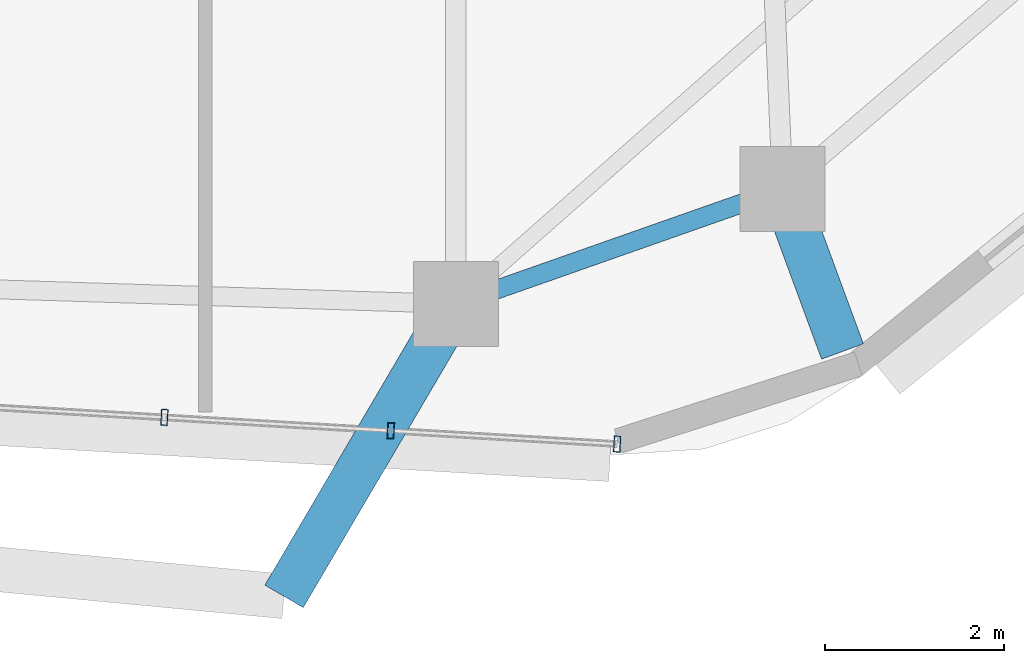
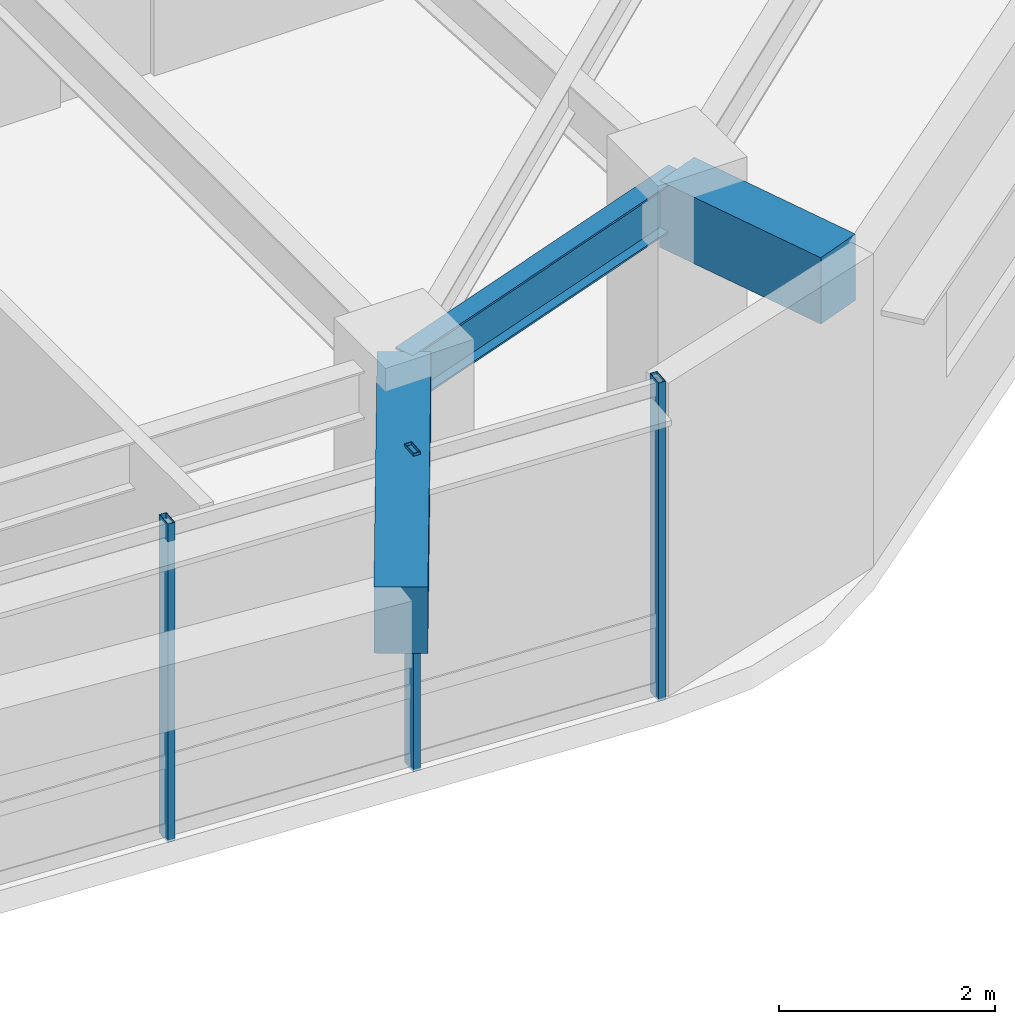
# One storey, part 6 of 14: 3 beams, 3 members, 1 element without a shape of its own.
"""IFC4 building model written with IfcOpenShell, lengths in metres."""

from ifc_helpers import new_model, si_unit, direction, frame, origin, origin_2d, place, context, subcontext, project, spatial, rectangle, hollow_rectangle, i_section, extrude, material, material_profile, profile_set, type_object, element, aggregate, save


model = new_model("IFC4")

# Units and contexts
model_context = context("Model", 3, precision=1e-05, world=origin(), true_north=direction((0.0, 1.0)))
body_context = subcontext(model_context, "Body", "Model", "MODEL_VIEW")
ifc_project = project(units=[si_unit("LENGTHUNIT", "METRE"), si_unit("AREAUNIT", "SQUARE_METRE"), si_unit("VOLUMEUNIT", "CUBIC_METRE"), si_unit("PLANEANGLEUNIT", "RADIAN"), si_unit("MASSUNIT", "GRAM", prefix="KILO")], contexts=[model_context])

# Site, building, storey
site_placement = place(None, origin())
site = spatial("IfcSite", under=ifc_project, at=site_placement, CompositionType="ELEMENT")
building_placement = place(site_placement, origin())
building = spatial("IfcBuilding", under=site, at=building_placement, Name="Zulverin Broadcast Headquarters", CompositionType="ELEMENT")
storey_placement = place(building_placement, frame((0.0, 0.0, 208.60009765625)))
storey = spatial("IfcBuildingStorey", under=building, at=storey_placement, Name="L53", CompositionType="ELEMENT", Elevation=208.60009765625)

# Beams
ifc_material_1 = material(Name="Concrete C40/50", Category="concrete")
ifc_material_profile_1 = material_profile(ifc_material_1, rectangle(XDim=0.5, YDim=0.75, at=origin_2d()), Name="Concrete C40/50", Category="concrete")
ifc_profile_set_1 = profile_set([ifc_material_profile_1], Name="Concrete C40/50")
beam_type_1 = type_object("IfcBeamType", Name="BM-RC-500x750", PredefinedType="BEAM", material=ifc_profile_set_1)
beam_1_placement = place(storey_placement, frame((48.569580078125, 4.967041015625, 3.164794921875), z_axis=(0.345752020663, -0.938325924297, 0.0), x_axis=(0.938325924297, 0.345752020663, 0.0)))
element("IfcBeam", 1, at=beam_1_placement, inside=storey, type_object=beam_type_1, Name="L54 Plate Overhang Back-Spanned Beam OVR-03", PredefinedType="BEAM", context=body_context, shape_type="SweptSolid", body=[
    extrude(rectangle(XDim=0.5, YDim=0.75, at=origin_2d()), origin(), (0.0, 0.0, 1.0), 1.939697265625),
])
beam_2_placement = place(storey_placement, frame((44.909912109375, 3.68017578125, 3.164794921875), z_axis=(-0.506708442368, -0.862117482964, 0.0), x_axis=(0.862117482964, -0.506708442368, 0.0)))
element("IfcBeam", 2, at=beam_2_placement, inside=storey, type_object=beam_type_1, Name="L54 Balcony Column-Framed Cantilever BAL_S-2", PredefinedType="BEAM", context=body_context, shape_type="SweptSolid", body=[
    extrude(rectangle(XDim=0.5, YDim=0.75, at=origin_2d()), origin(), (0.0, 0.0, 1.0), 3.800048828125),
])
ifc_material_2 = material(Name="Structural steel S355JR", Category="steel")
ifc_material_profile_2 = material_profile(ifc_material_2, i_section(OverallWidth=0.2119140625, OverallDepth=0.54443359375, WebThickness=0.0126953125, FlangeThickness=0.021240234375, at=origin_2d()), Name="Structural steel S355JR", Category="steel")
ifc_profile_set_2 = profile_set([ifc_material_profile_2], Name="Structural steel S355JR")
beam_type_2 = type_object("IfcBeamType", Name="BM-UB-533", PredefinedType="SPANDREL", material=ifc_profile_set_2)
beam_3_placement = place(storey_placement, frame((44.909912109375, 3.68017578125, 3.267578125), z_axis=(0.943376593622, 0.331723684121, 0.0), x_axis=(-0.331723684121, 0.943376593622, 0.0)))
element("IfcBeam", 3, at=beam_3_placement, inside=storey, type_object=beam_type_2, Name="L53 Perimeter Spandrel Beam SP-02", PredefinedType="SPANDREL", context=body_context, shape_type="SweptSolid", body=[
    extrude(i_section(OverallWidth=0.2119140625, OverallDepth=0.54443359375, WebThickness=0.0126953125, FlangeThickness=0.021240234375, at=origin_2d()), origin(), (0.0, 0.0, 1.0), 3.87939453125),
])

# Curtain wall, members
ifc_material_3 = material(Name="Waist wind-pressure unitised curtain wall", Category="aluminium")
curtain_wall_type = type_object("IfcCurtainWallType", Name="CW-TWR-WST", PredefinedType="USERDEFINED", material=ifc_material_3)
curtain_wall_placement = place(storey_placement, origin())
curtain_wall = element("IfcCurtainWall", 4, at=curtain_wall_placement, inside=storey, type_object=curtain_wall_type, Name="L53 Unitised Curtain Wall CW-L53-E1", ObjectType="UNITISED CURTAIN WALL", PredefinedType="USERDEFINED")
ifc_material_4 = material(Name="Anodized pale-metal aluminium alloy 6063-T6", Category="aluminium")
ifc_material_profile_3 = material_profile(ifc_material_4, hollow_rectangle(XDim=0.074951171875, YDim=0.179931640625, WallThickness=0.0048828125, at=origin_2d()), Name="Anodized pale-metal aluminium alloy 6063-T6", Category="aluminium")
ifc_profile_set_3 = profile_set([ifc_material_profile_3], Name="Anodized pale-metal aluminium alloy 6063-T6")
member_type = type_object("IfcMemberType", Name="CW-MUL-180", PredefinedType="MULLION", material=ifc_profile_set_3)
member_1_placement = place(storey_placement, frame((41.644287109375, 2.4091796875, -0.030029296875), z_axis=(0.0, 0.0, 1.0), x_axis=(0.998274435348, -0.058720965002, 0.0)))
member_1 = element("IfcMember", 5, at=member_1_placement, type_object=member_type, Name="CW-L53-E1 Mullion 05", PredefinedType="MULLION", context=body_context, shape_type="SweptSolid", body=[
    extrude(hollow_rectangle(XDim=0.074951171875, YDim=0.179931640625, WallThickness=0.0048828125, at=origin_2d()), origin(), (0.0, 0.0, 1.0), 3.599853515625),
])
member_2_placement = place(storey_placement, frame((44.18017578125, 2.260009765625, -0.030029296875), z_axis=(0.0, 0.0, 1.0), x_axis=(0.998274435348, -0.058720965002, 0.0)))
member_2 = element("IfcMember", 6, at=member_2_placement, type_object=member_type, Name="CW-L53-E1 Mullion 06", PredefinedType="MULLION", context=body_context, shape_type="SweptSolid", body=[
    extrude(hollow_rectangle(XDim=0.074951171875, YDim=0.179931640625, WallThickness=0.0048828125, at=origin_2d()), origin(), (0.0, 0.0, 1.0), 3.599853515625),
])
member_3_placement = place(storey_placement, frame((46.716064453125, 2.11083984375, -0.030029296875), z_axis=(0.0, 0.0, 1.0), x_axis=(0.998274435348, -0.058720965002, 0.0)))
member_3 = element("IfcMember", 7, at=member_3_placement, type_object=member_type, Name="CW-L53-E1 Mullion 07", PredefinedType="MULLION", context=body_context, shape_type="SweptSolid", body=[
    extrude(hollow_rectangle(XDim=0.074951171875, YDim=0.179931640625, WallThickness=0.0048828125, at=origin_2d()), origin(), (0.0, 0.0, 1.0), 3.599853515625),
])
aggregate(curtain_wall, [member_1, member_2, member_3])

save(model, "model.ifc")
